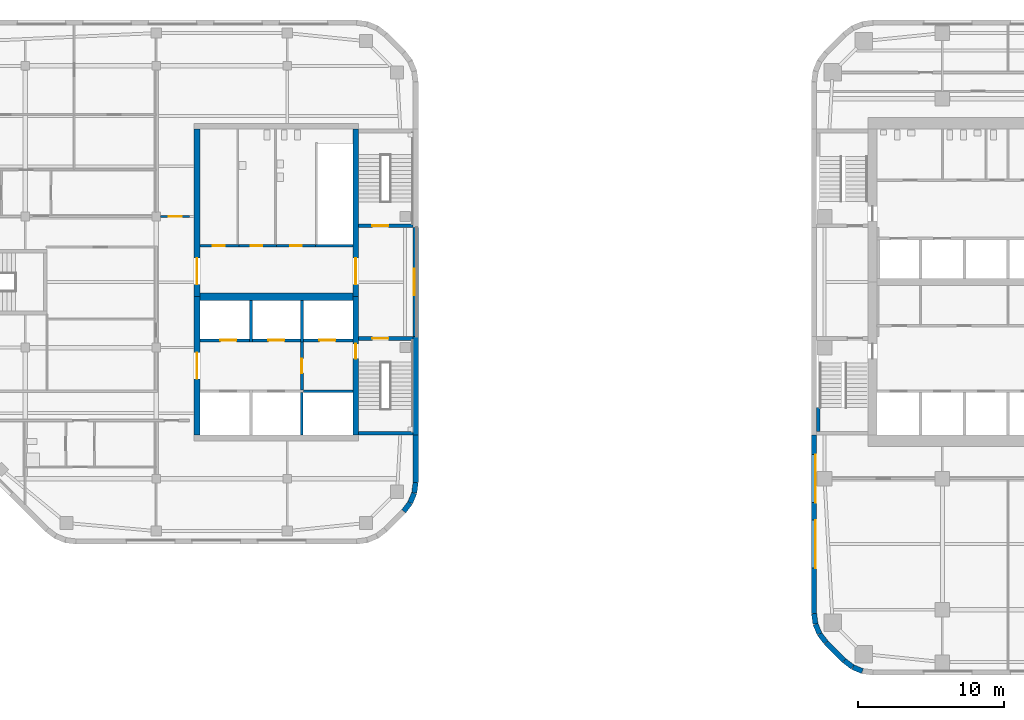
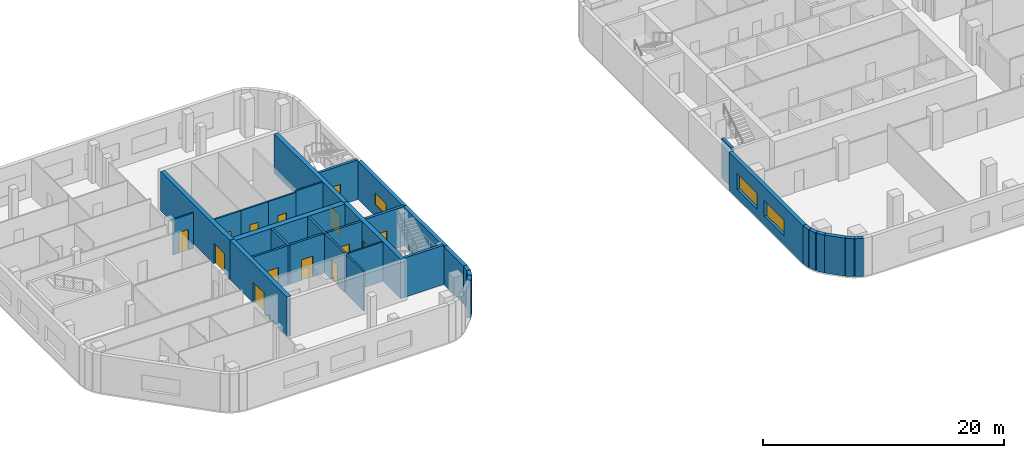
# One storey, part 6 of 14: 35 walls, 14 doors, 3 windows, 17 openings.
"""IFC4 building model written with IfcOpenShell, lengths in metres."""

from ifc_helpers import new_model, si_unit, direction, frame, frame_2d, origin, place, context, subcontext, project, spatial, rectangle, extrude, material, layer, layer_set, type_object, element, fill, save


model = new_model("IFC4")

# Units and contexts
model_context = context("Model", 3, precision=1e-05, world=origin(), true_north=direction((0.0, 1.0)))
body_context = subcontext(model_context, "Body", "Model", "MODEL_VIEW")
ifc_project = project(units=[si_unit("LENGTHUNIT", "METRE"), si_unit("AREAUNIT", "SQUARE_METRE"), si_unit("VOLUMEUNIT", "CUBIC_METRE"), si_unit("PLANEANGLEUNIT", "RADIAN"), si_unit("MASSUNIT", "GRAM", prefix="KILO")], contexts=[model_context])

# Site, building, storey
site_placement = place(None, origin())
site = spatial("IfcSite", under=ifc_project, at=site_placement, CompositionType="ELEMENT")
building_placement = place(site_placement, origin())
building = spatial("IfcBuilding", under=site, at=building_placement, Name="Cinnabar Reach Civic Tower", CompositionType="ELEMENT")
storey_placement = place(building_placement, frame((0.0, 0.0, 132.0)))
storey = spatial("IfcBuildingStorey", under=building, at=storey_placement, Name="L31", CompositionType="ELEMENT", Elevation=132.0)

# Walls
ifc_material_1 = material(Name="Facing brick with insulated backing", Category="masonry")
ifc_layer_1 = layer(ifc_material_1, 0.36)
ifc_layer_set_1 = layer_set([ifc_layer_1], Name="Brick corner wall")
wall_type_1 = type_object("IfcWallType", Name="Brick corner wall", PredefinedType="STANDARD", material=ifc_layer_set_1)
for number, where, z_axis, x_axis, name in (
    (1, (0.183, 8.7314, 0.0), (0.0, 0.0, 1.0), (0.13055608231, -0.99144092581, 0.0), "Brick corner wall"),
    (2, (0.2819, 8.0027, 0.0), (0.0, 0.0, 1.0), (0.382702709855, -0.923871547278, 0.0), "Brick corner wall"),
):
    element("IfcWall", number, at=place(storey_placement, frame(where, z_axis=z_axis, x_axis=x_axis)), inside=storey, type_object=wall_type_1, Name=name, PredefinedType="STANDARD", context=body_context, shape_type="SweptSolid", body=[
        extrude(rectangle(XDim=0.7131, YDim=0.36, at=frame_2d((0.3565, 0.0))), origin(), (0.0, 0.0, 1.0), 3.85),
    ])
for number, where, z_axis, x_axis, name in (
    (3, (0.566, 7.3245, 0.0), (0.0, 0.0, 1.0), (0.608802368033, -0.793321924995, 0.0), "Brick corner wall"),
    (4, (2.2587, 5.5002, 0.0), (0.0, 0.0, 1.0), (0.793321924995, -0.608802368033, 0.0), "Brick corner wall"),
):
    element("IfcWall", number, at=place(storey_placement, frame(where, z_axis=z_axis, x_axis=x_axis)), inside=storey, type_object=wall_type_1, Name=name, PredefinedType="STANDARD", context=body_context, shape_type="SweptSolid", body=[
        extrude(rectangle(XDim=0.7132, YDim=0.36, at=frame_2d((0.3566, 0.0))), origin(), (0.0, 0.0, 1.0), 3.85),
    ])
wall_1_placement = place(storey_placement, frame((2.8439, 5.0548, 0.0), z_axis=(0.0, 0.0, 1.0), x_axis=(0.923871547278, -0.382702709855, 0.0)))
element("IfcWall", 5, at=wall_1_placement, inside=storey, type_object=wall_type_1, Name="Brick corner wall", PredefinedType="STANDARD", context=body_context, shape_type="SweptSolid", body=[
    extrude(rectangle(XDim=0.7131, YDim=0.36, at=frame_2d((0.3565, 0.0))), origin(), (0.0, 0.0, 1.0), 3.85),
])
wall_2_placement = place(storey_placement, frame((-28.0002, 15.7587, 0.0), z_axis=(0.0, 0.0, 1.0), x_axis=(0.608802368033, 0.793321924995, 0.0)))
element("IfcWall", 6, at=wall_2_placement, inside=storey, type_object=wall_type_1, Name="Brick corner wall", PredefinedType="STANDARD", context=body_context, shape_type="SweptSolid", body=[
    extrude(rectangle(XDim=0.7132, YDim=0.36, at=frame_2d((0.3566, 0.0))), origin(), (0.0, 0.0, 1.0), 3.85),
])
for number, where, z_axis, x_axis, name in (
    (7, (-27.5548, 16.3439, 0.0), (0.0, 0.0, 1.0), (0.382702709855, 0.923871547278, 0.0), "Brick corner wall"),
    (8, (-27.2761, 17.0244, 0.0), (0.0, 0.0, 1.0), (0.13055608231, 0.99144092581, 0.0), "Brick corner wall"),
):
    element("IfcWall", number, at=place(storey_placement, frame(where, z_axis=z_axis, x_axis=x_axis)), inside=storey, type_object=wall_type_1, Name=name, PredefinedType="STANDARD", context=body_context, shape_type="SweptSolid", body=[
        extrude(rectangle(XDim=0.7131, YDim=0.36, at=frame_2d((0.3565, 0.0))), origin(), (0.0, 0.0, 1.0), 3.85),
    ])

# Wall, openings, windows
ifc_layer_2 = layer(ifc_material_1, 0.36)
ifc_layer_set_2 = layer_set([ifc_layer_2], Name="Brick pier and spandrel wall")
wall_type_2 = type_object("IfcWallType", Name="Brick pier and spandrel wall", PredefinedType="STANDARD", material=ifc_layer_set_2)
wall_3_placement = place(storey_placement, frame((0.18, 21.0, 0.0), z_axis=(0.0, 0.0, 1.0), x_axis=(0.0, -1.0, 0.0)))
wall_3 = element("IfcWall", 9, at=wall_3_placement, inside=storey, type_object=wall_type_2, Name="Brick facade wall", PredefinedType="STANDARD", context=body_context, shape_type="SweptSolid", body=[
    extrude(rectangle(XDim=12.2574, YDim=0.36, at=frame_2d((6.1287, 0.0))), origin(), (0.0, 0.0, 1.0), 3.85),
])
opening_1_placement = place(wall_3_placement, frame((1.35, 0.0, 0.9)))
opening_1 = element("IfcOpeningElement", 10, at=opening_1_placement, cuts=wall_3, Name="Opening W1675", PredefinedType="OPENING", context=body_context, shape_type="SweptSolid", body=[
    extrude(rectangle(XDim=3.3, YDim=1.6, at=frame_2d((1.65, 0.8))), frame((0.0, 0.19, 0.0), z_axis=(0.0, -1.0, 0.0), x_axis=(1.0, 0.0, 0.0)), (0.0, 0.0, 1.0), 0.38),
])
opening_2_placement = place(wall_3_placement, frame((5.85, 0.0, 0.9)))
opening_2 = element("IfcOpeningElement", 11, at=opening_2_placement, cuts=wall_3, Name="Opening W1676", PredefinedType="OPENING", context=body_context, shape_type="SweptSolid", body=[
    extrude(rectangle(XDim=3.3, YDim=1.6, at=frame_2d((1.65, 0.8))), frame((0.0, 0.19, 0.0), z_axis=(0.0, -1.0, 0.0), x_axis=(1.0, 0.0, 0.0)), (0.0, 0.0, 1.0), 0.38),
])
ifc_material_2 = material(Name="Clear double glazing in aluminium frame", Category="aluminium")
window_type_1 = type_object("IfcWindowType", Name="Deep-set window A", PartitioningType="SINGLE_PANEL", PredefinedType="WINDOW", material=ifc_material_2)
window_1_placement = place(opening_1_placement, origin())
window_1 = element("IfcWindow", 12, at=window_1_placement, inside=storey, type_object=window_type_1, Name="Window west face", OverallHeight=1.6, OverallWidth=3.3, PartitioningType="SINGLE_PANEL", PredefinedType="WINDOW", context=body_context, shape_type="SweptSolid", body=[
    extrude(rectangle(XDim=3.3, YDim=1.6, at=frame_2d((1.65, 0.8))), frame((0.0, 0.13, 0.0), z_axis=(0.0, -1.0, 0.0), x_axis=(1.0, 0.0, 0.0)), (0.0, 0.0, 1.0), 0.06),
])
fill(opening_1, window_1)
window_2_placement = place(opening_2_placement, origin())
window_2 = element("IfcWindow", 13, at=window_2_placement, inside=storey, type_object=window_type_1, Name="Window west face", OverallHeight=1.6, OverallWidth=3.3, PartitioningType="SINGLE_PANEL", PredefinedType="WINDOW", context=body_context, shape_type="SweptSolid", body=[
    extrude(rectangle(XDim=3.3, YDim=1.6, at=frame_2d((1.65, 0.8))), frame((0.0, 0.13, 0.0), z_axis=(0.0, -1.0, 0.0), x_axis=(1.0, 0.0, 0.0)), (0.0, 0.0, 1.0), 0.06),
])
fill(opening_2, window_2)

# Walls
wall_4_placement = place(storey_placement, frame((1.006, 6.7486, 0.0), z_axis=(0.0, 0.0, 1.0), x_axis=(0.707106781187, -0.707106781187, 0.0)))
element("IfcWall", 14, at=wall_4_placement, inside=storey, type_object=wall_type_2, Name="Brick facade wall", PredefinedType="STANDARD", context=body_context, shape_type="SweptSolid", body=[
    extrude(rectangle(XDim=1.7573, YDim=0.36, at=frame_2d((0.8787, 0.0))), origin(), (0.0, 0.0, 1.0), 3.85),
])
wall_5_placement = place(storey_placement, frame((-27.18, 17.7426, 0.0), z_axis=(0.0, 0.0, 1.0), x_axis=(0.0, 1.0, 0.0)))
element("IfcWall", 15, at=wall_5_placement, inside=storey, type_object=wall_type_2, Name="Brick facade wall", PredefinedType="STANDARD", context=body_context, shape_type="SweptSolid", body=[
    extrude(rectangle(XDim=3.2574, YDim=0.36, at=frame_2d((1.6287, 0.0))), origin(), (0.0, 0.0, 1.0), 3.85),
])
wall_6_placement = place(storey_placement, frame((-27.18, 21.0, 0.0), z_axis=(0.0, 0.0, 1.0), x_axis=(0.0, 1.0, 0.0)))
element("IfcWall", 16, at=wall_6_placement, inside=storey, type_object=wall_type_2, Name="Brick facade wall", PredefinedType="STANDARD", context=body_context, shape_type="SweptSolid", body=[
    extrude(rectangle(XDim=6.75, YDim=0.36, at=frame_2d((3.375, 0.0))), origin(), (0.0, 0.0, 1.0), 3.85),
])

# Wall, opening, window
wall_7_placement = place(storey_placement, frame((-27.18, 27.75, 0.0), z_axis=(0.0, 0.0, 1.0), x_axis=(0.0, 1.0, 0.0)))
wall_7 = element("IfcWall", 17, at=wall_7_placement, inside=storey, type_object=wall_type_2, Name="Brick facade wall", PredefinedType="STANDARD", context=body_context, shape_type="SweptSolid", body=[
    extrude(rectangle(XDim=7.5, YDim=0.36, at=frame_2d((3.75, 0.0))), origin(), (0.0, 0.0, 1.0), 3.85),
])
opening_3_placement = place(wall_7_placement, frame((2.85, 0.0, 1.2)))
opening_3 = element("IfcOpeningElement", 18, at=opening_3_placement, cuts=wall_7, Name="Opening W2782", PredefinedType="OPENING", context=body_context, shape_type="SweptSolid", body=[
    extrude(rectangle(XDim=1.8, YDim=1.2, at=frame_2d((0.9, 0.6))), frame((0.0, 0.19, 0.0), z_axis=(0.0, -1.0, 0.0), x_axis=(1.0, 0.0, 0.0)), (0.0, 0.0, 1.0), 0.38),
])
window_type_2 = type_object("IfcWindowType", Name="Deep-set window C", PartitioningType="SINGLE_PANEL", PredefinedType="WINDOW", material=ifc_material_2)
window_3_placement = place(opening_3_placement, origin())
window_3 = element("IfcWindow", 19, at=window_3_placement, inside=storey, type_object=window_type_2, Name="Window east face", OverallHeight=1.2, OverallWidth=1.8, PartitioningType="SINGLE_PANEL", PredefinedType="WINDOW", context=body_context, shape_type="SweptSolid", body=[
    extrude(rectangle(XDim=1.8, YDim=1.2, at=frame_2d((0.9, 0.6))), frame((0.0, 0.13, 0.0), z_axis=(0.0, -1.0, 0.0), x_axis=(1.0, 0.0, 0.0)), (0.0, 0.0, 1.0), 0.06),
])
fill(opening_3, window_3)

# Wall, opening, door
ifc_material_3 = material(Name="Concrete C60", Category="concrete")
ifc_layer_3 = layer(ifc_material_3, 0.4)
ifc_layer_set_3 = layer_set([ifc_layer_3], Name="Core wall 400 EI 180")
wall_type_3 = type_object("IfcWallType", Name="Core wall 400 EI 180", PredefinedType="SOLIDWALL", material=ifc_layer_set_3)
wall_8_placement = place(storey_placement, frame((-31.3, 21.0, 0.0), z_axis=(0.0, 0.0, 1.0), x_axis=(0.0, 1.0, 0.0)))
wall_8 = element("IfcWall", 20, at=wall_8_placement, inside=storey, type_object=wall_type_3, Name="Core wall T2 L31 E", PredefinedType="SOLIDWALL", context=body_context, shape_type="SweptSolid", body=[
    extrude(rectangle(XDim=9.5, YDim=0.4, at=frame_2d((4.75, 0.0))), origin(), (0.0, 0.0, 1.0), 4.0),
])
opening_4_placement = place(wall_8_placement, frame((5.25, 0.0, 0.0)))
opening_4 = element("IfcOpeningElement", 21, at=opening_4_placement, cuts=wall_8, Name="Opening D7105", PredefinedType="OPENING", context=body_context, shape_type="SweptSolid", body=[
    extrude(rectangle(XDim=1.0, YDim=2.1, at=frame_2d((0.5, 1.05))), frame((0.0, 0.21, 0.0), z_axis=(0.0, -1.0, 0.0), x_axis=(1.0, 0.0, 0.0)), (0.0, 0.0, 1.0), 0.42),
])
ifc_material_4 = material(Name="Steel fire door", Category="steel")
door_type_1 = type_object("IfcDoorType", Name="T2 Firefighting lobby door 1000", OperationType="SINGLE_SWING_LEFT", PredefinedType="DOOR", material=ifc_material_4)
door_1_placement = place(opening_4_placement, frame((1.0, 0.0, 0.0), z_axis=(0.0, 0.0, 1.0), x_axis=(-1.0, 0.0, 0.0)))
door_1 = element("IfcDoor", 22, at=door_1_placement, inside=storey, type_object=door_type_1, Name="T2 Firefighting lobby door D7105", OperationType="SINGLE_SWING_LEFT", OverallHeight=2.1, OverallWidth=1.0, PredefinedType="DOOR", context=body_context, shape_type="SweptSolid", body=[
    extrude(rectangle(XDim=1.0, YDim=2.1, at=frame_2d((0.5, 1.05))), frame((0.0, 0.025, 0.0), z_axis=(0.0, -1.0, 0.0), x_axis=(1.0, 0.0, 0.0)), (0.0, 0.0, 1.0), 0.05),
])
fill(opening_4, door_1)

wall_9_placement = place(storey_placement, frame((-31.3, 30.5, 0.0), z_axis=(0.0, 0.0, 1.0), x_axis=(0.0, 1.0, 0.0)))
wall_9 = element("IfcWall", 23, at=wall_9_placement, inside=storey, type_object=wall_type_3, Name="Core wall T2 L31 E2", PredefinedType="SOLIDWALL", context=body_context, shape_type="SweptSolid", body=[
    extrude(rectangle(XDim=11.5, YDim=0.4, at=frame_2d((5.75, 0.0))), origin(), (0.0, 0.0, 1.0), 4.0),
])
opening_5_placement = place(wall_9_placement, frame((0.85, 0.0, 0.0)))
opening_5 = element("IfcOpeningElement", 24, at=opening_5_placement, cuts=wall_9, Name="Opening D7108", PredefinedType="OPENING", context=body_context, shape_type="SweptSolid", body=[
    extrude(rectangle(XDim=1.8, YDim=2.1, at=frame_2d((0.9, 1.05))), frame((0.0, 0.21, 0.0), z_axis=(0.0, -1.0, 0.0), x_axis=(1.0, 0.0, 0.0)), (0.0, 0.0, 1.0), 0.42),
])
door_type_2 = type_object("IfcDoorType", Name="T2 Double door 1800", OperationType="DOUBLE_DOOR_SINGLE_SWING", PredefinedType="DOOR", material=ifc_material_4)
door_2_placement = place(opening_5_placement, origin())
door_2 = element("IfcDoor", 25, at=door_2_placement, inside=storey, type_object=door_type_2, Name="T2 Double door D7108", OperationType="DOUBLE_DOOR_SINGLE_SWING", OverallHeight=2.1, OverallWidth=1.8, PredefinedType="DOOR", context=body_context, shape_type="SweptSolid", body=[
    extrude(rectangle(XDim=1.8, YDim=2.1, at=frame_2d((0.9, 1.05))), frame((0.0, 0.025, 0.0), z_axis=(0.0, -1.0, 0.0), x_axis=(1.0, 0.0, 0.0)), (0.0, 0.0, 1.0), 0.05),
])
fill(opening_5, door_2)

wall_10_placement = place(storey_placement, frame((-42.2, 42.0, 0.0), z_axis=(0.0, 0.0, 1.0), x_axis=(0.0, -1.0, 0.0)))
wall_10 = element("IfcWall", 26, at=wall_10_placement, inside=storey, type_object=wall_type_3, Name="Core wall T2 L31 W", PredefinedType="SOLIDWALL", context=body_context, shape_type="SweptSolid", body=[
    extrude(rectangle(XDim=11.5, YDim=0.4, at=frame_2d((5.75, 0.0))), origin(), (0.0, 0.0, 1.0), 4.0),
])
opening_6_placement = place(wall_10_placement, frame((8.85, 0.0, 0.0)))
opening_6 = element("IfcOpeningElement", 27, at=opening_6_placement, cuts=wall_10, Name="Opening D7110", PredefinedType="OPENING", context=body_context, shape_type="SweptSolid", body=[
    extrude(rectangle(XDim=1.8, YDim=2.1, at=frame_2d((0.9, 1.05))), frame((0.0, 0.21, 0.0), z_axis=(0.0, -1.0, 0.0), x_axis=(1.0, 0.0, 0.0)), (0.0, 0.0, 1.0), 0.42),
])
door_3_placement = place(opening_6_placement, frame((1.8, 0.0, 0.0), z_axis=(0.0, 0.0, 1.0), x_axis=(-1.0, 0.0, 0.0)))
door_3 = element("IfcDoor", 28, at=door_3_placement, inside=storey, type_object=door_type_2, Name="T2 Double door D7110", OperationType="DOUBLE_DOOR_SINGLE_SWING", OverallHeight=2.1, OverallWidth=1.8, PredefinedType="DOOR", context=body_context, shape_type="SweptSolid", body=[
    extrude(rectangle(XDim=1.8, YDim=2.1, at=frame_2d((0.9, 1.05))), frame((0.0, 0.025, 0.0), z_axis=(0.0, -1.0, 0.0), x_axis=(1.0, 0.0, 0.0)), (0.0, 0.0, 1.0), 0.05),
])
fill(opening_6, door_3)

wall_11_placement = place(storey_placement, frame((-42.2, 30.5, 0.0), z_axis=(0.0, 0.0, 1.0), x_axis=(0.0, -1.0, 0.0)))
wall_11 = element("IfcWall", 29, at=wall_11_placement, inside=storey, type_object=wall_type_3, Name="Core wall T2 L31 W2", PredefinedType="SOLIDWALL", context=body_context, shape_type="SweptSolid", body=[
    extrude(rectangle(XDim=9.5, YDim=0.4, at=frame_2d((4.75, 0.0))), origin(), (0.0, 0.0, 1.0), 4.0),
])
opening_7_placement = place(wall_11_placement, frame((3.85, 0.0, 0.0)))
opening_7 = element("IfcOpeningElement", 30, at=opening_7_placement, cuts=wall_11, Name="Opening D7109", PredefinedType="OPENING", context=body_context, shape_type="SweptSolid", body=[
    extrude(rectangle(XDim=1.8, YDim=2.1, at=frame_2d((0.9, 1.05))), frame((0.0, 0.21, 0.0), z_axis=(0.0, -1.0, 0.0), x_axis=(1.0, 0.0, 0.0)), (0.0, 0.0, 1.0), 0.42),
])
door_4_placement = place(opening_7_placement, origin())
door_4 = element("IfcDoor", 31, at=door_4_placement, inside=storey, type_object=door_type_2, Name="T2 Double door D7109", OperationType="DOUBLE_DOOR_SINGLE_SWING", OverallHeight=2.1, OverallWidth=1.8, PredefinedType="DOOR", context=body_context, shape_type="SweptSolid", body=[
    extrude(rectangle(XDim=1.8, YDim=2.1, at=frame_2d((0.9, 1.05))), frame((0.0, 0.025, 0.0), z_axis=(0.0, -1.0, 0.0), x_axis=(1.0, 0.0, 0.0)), (0.0, 0.0, 1.0), 0.05),
])
fill(opening_7, door_4)

# Wall
ifc_layer_4 = layer(ifc_material_3, 0.5)
ifc_layer_set_4 = layer_set([ifc_layer_4], Name="Core wall 500 EI 180")
wall_type_4 = type_object("IfcWallType", Name="Core wall 500 EI 180", PredefinedType="SOLIDWALL", material=ifc_layer_set_4)
wall_12_placement = place(storey_placement, frame((-42.0, 30.5, 0.0), z_axis=(0.0, 0.0, 1.0), x_axis=(1.0, 0.0, 0.0)))
element("IfcWall", 32, at=wall_12_placement, inside=storey, type_object=wall_type_4, Name="Core spine wall T2 L31", PredefinedType="SOLIDWALL", context=body_context, shape_type="SweptSolid", body=[
    extrude(rectangle(XDim=10.5, YDim=0.5, at=frame_2d((5.25, 0.0))), origin(), (0.0, 0.0, 1.0), 4.0),
])

# Wall, opening, door
ifc_material_5 = material(Name="Gypsum board on steel studs, double layer", Category="steel")
ifc_layer_5 = layer(ifc_material_5, 0.15)
ifc_layer_set_5 = layer_set([ifc_layer_5], Name="Corridor wall 150 T2")
wall_type_5 = type_object("IfcWallType", Name="Corridor wall 150 T2", PredefinedType="PARTITIONING", material=ifc_layer_set_5)
wall_13_placement = place(storey_placement, frame((-44.7, 36.0, 0.0), z_axis=(0.0, 0.0, 1.0), x_axis=(1.0, 0.0, 0.0)))
wall_13 = element("IfcWall", 33, at=wall_13_placement, inside=storey, type_object=wall_type_5, Name="Corridor wall 1", PredefinedType="PARTITIONING", context=body_context, shape_type="SweptSolid", body=[
    extrude(rectangle(XDim=1.975, YDim=0.15, at=frame_2d((0.9875, 0.0))), origin(), (0.0, 0.0, 1.0), 3.602),
])
opening_8_placement = place(wall_13_placement, frame((0.55, 0.0, 0.0)))
opening_8 = element("IfcOpeningElement", 34, at=opening_8_placement, cuts=wall_13, Name="Opening D7114", PredefinedType="OPENING", context=body_context, shape_type="SweptSolid", body=[
    extrude(rectangle(XDim=0.9, YDim=2.1, at=frame_2d((0.45, 1.05))), frame((0.0, 0.085, 0.0), z_axis=(0.0, -1.0, 0.0), x_axis=(1.0, 0.0, 0.0)), (0.0, 0.0, 1.0), 0.17),
])
ifc_material_6 = material(Name="Timber door leaf in steel frame", Category="steel")
door_type_3 = type_object("IfcDoorType", Name="Single swing door 900 x 2100 T2", OperationType="SINGLE_SWING_LEFT", PredefinedType="DOOR", material=ifc_material_6)
door_5_placement = place(opening_8_placement, origin())
door_5 = element("IfcDoor", 35, at=door_5_placement, inside=storey, type_object=door_type_3, Name="Door D7114", OperationType="SINGLE_SWING_LEFT", OverallHeight=2.1, OverallWidth=0.9, PredefinedType="DOOR", context=body_context, shape_type="SweptSolid", body=[
    extrude(rectangle(XDim=0.9, YDim=2.1, at=frame_2d((0.45, 1.05))), frame((0.0, 0.025, 0.0), z_axis=(0.0, -1.0, 0.0), x_axis=(1.0, 0.0, 0.0)), (0.0, 0.0, 1.0), 0.05),
])
fill(opening_8, door_5)

# Wall
ifc_layer_6 = layer(ifc_material_3, 0.25)
ifc_layer_set_6 = layer_set([ifc_layer_6], Name="Stair shaft wall 250 EI 120")
wall_type_6 = type_object("IfcWallType", Name="Stair shaft wall 250 EI 120", PredefinedType="SOLIDWALL", material=ifc_layer_set_6)
wall_14_placement = place(storey_placement, frame((-31.1, 21.125, 0.0), z_axis=(0.0, 0.0, 1.0), x_axis=(1.0, 0.0, 0.0)))
element("IfcWall", 36, at=wall_14_placement, inside=storey, type_object=wall_type_6, Name="Stair shaft wall T2-S1 L31", PredefinedType="SOLIDWALL", context=body_context, shape_type="SweptSolid", body=[
    extrude(rectangle(XDim=3.74, YDim=0.25, at=frame_2d((1.87, 0.0))), origin(), (0.0, 0.0, 1.0), 4.0),
])

# Wall, opening, door
wall_15_placement = place(storey_placement, frame((-27.36, 27.625, 0.0), z_axis=(0.0, 0.0, 1.0), x_axis=(-1.0, 0.0, 0.0)))
wall_15 = element("IfcWall", 37, at=wall_15_placement, inside=storey, type_object=wall_type_6, Name="Stair shaft wall T2-S1 L31", PredefinedType="SOLIDWALL", context=body_context, shape_type="SweptSolid", body=[
    extrude(rectangle(XDim=3.74, YDim=0.25, at=frame_2d((1.87, 0.0))), origin(), (0.0, 0.0, 1.0), 4.0),
])
opening_9_placement = place(wall_15_placement, frame((1.69, 0.0, 0.0)))
opening_9 = element("IfcOpeningElement", 38, at=opening_9_placement, cuts=wall_15, Name="Opening D7106", PredefinedType="OPENING", context=body_context, shape_type="SweptSolid", body=[
    extrude(rectangle(XDim=1.1, YDim=2.1, at=frame_2d((0.55, 1.05))), frame((0.0, 0.135, 0.0), z_axis=(0.0, -1.0, 0.0), x_axis=(1.0, 0.0, 0.0)), (0.0, 0.0, 1.0), 0.27),
])
door_type_4 = type_object("IfcDoorType", Name="T2 Stair door 1100", OperationType="SINGLE_SWING_LEFT", PredefinedType="DOOR", material=ifc_material_4)
door_6_placement = place(opening_9_placement, origin())
door_6 = element("IfcDoor", 39, at=door_6_placement, inside=storey, type_object=door_type_4, Name="T2 Stair door D7106", OperationType="SINGLE_SWING_LEFT", OverallHeight=2.1, OverallWidth=1.1, PredefinedType="DOOR", context=body_context, shape_type="SweptSolid", body=[
    extrude(rectangle(XDim=1.1, YDim=2.1, at=frame_2d((0.55, 1.05))), frame((0.0, 0.025, 0.0), z_axis=(0.0, -1.0, 0.0), x_axis=(1.0, 0.0, 0.0)), (0.0, 0.0, 1.0), 0.05),
])
fill(opening_9, door_6)

wall_16_placement = place(storey_placement, frame((-31.1, 35.375, 0.0), z_axis=(0.0, 0.0, 1.0), x_axis=(1.0, 0.0, 0.0)))
wall_16 = element("IfcWall", 40, at=wall_16_placement, inside=storey, type_object=wall_type_6, Name="Stair shaft wall T2-S2 L31", PredefinedType="SOLIDWALL", context=body_context, shape_type="SweptSolid", body=[
    extrude(rectangle(XDim=3.74, YDim=0.25, at=frame_2d((1.87, 0.0))), origin(), (0.0, 0.0, 1.0), 4.0),
])
opening_10_placement = place(wall_16_placement, frame((0.95, 0.0, 0.0)))
opening_10 = element("IfcOpeningElement", 41, at=opening_10_placement, cuts=wall_16, Name="Opening D7107", PredefinedType="OPENING", context=body_context, shape_type="SweptSolid", body=[
    extrude(rectangle(XDim=1.1, YDim=2.1, at=frame_2d((0.55, 1.05))), frame((0.0, 0.135, 0.0), z_axis=(0.0, -1.0, 0.0), x_axis=(1.0, 0.0, 0.0)), (0.0, 0.0, 1.0), 0.27),
])
door_7_placement = place(opening_10_placement, origin())
door_7 = element("IfcDoor", 42, at=door_7_placement, inside=storey, type_object=door_type_4, Name="T2 Stair door D7107", OperationType="SINGLE_SWING_RIGHT", OverallHeight=2.1, OverallWidth=1.1, PredefinedType="DOOR", context=body_context, shape_type="SweptSolid", body=[
    extrude(rectangle(XDim=1.1, YDim=2.1, at=frame_2d((0.55, 1.05))), frame((0.0, 0.025, 0.0), z_axis=(0.0, -1.0, 0.0), x_axis=(1.0, 0.0, 0.0)), (0.0, 0.0, 1.0), 0.05),
])
fill(opening_10, door_7)

# Wall
ifc_material_7 = material(Name="Concrete C40/50", Category="concrete")
ifc_layer_7 = layer(ifc_material_7, 0.24)
ifc_layer_set_7 = layer_set([ifc_layer_7], Name="T1 landing bearer wall 240")
wall_type_7 = type_object("IfcWallType", Name="T1 landing bearer wall 240", PredefinedType="STANDARD", material=ifc_layer_set_7)
wall_17_placement = place(storey_placement, frame((0.48, 21.25, 0.0), z_axis=(0.0, 0.0, 1.0), x_axis=(0.0, 1.0, 0.0)))
element("IfcWall", 43, at=wall_17_placement, inside=storey, type_object=wall_type_7, Name="T1-S1 landing bearer wall", PredefinedType="STANDARD", context=body_context, shape_type="SweptSolid", body=[
    extrude(rectangle(XDim=1.62, YDim=0.24, at=frame_2d((0.81, 0.0))), origin(), (0.0, 0.0, 1.0), 4.0),
])

# Wall, opening, door
ifc_material_8 = material(Name="Masonry block partition", Category="masonry")
ifc_layer_8 = layer(ifc_material_8, 0.15)
ifc_layer_set_8 = layer_set([ifc_layer_8], Name="T2 Corridor wall 150")
wall_type_8 = type_object("IfcWallType", Name="T2 Corridor wall 150", PredefinedType="PARTITIONING", material=ifc_layer_set_8)
wall_18_placement = place(storey_placement, frame((-39.325, 34.0, 0.0), z_axis=(0.0, 0.0, 1.0), x_axis=(-1.0, 0.0, 0.0)))
wall_18 = element("IfcWall", 44, at=wall_18_placement, inside=storey, type_object=wall_type_8, Name="T2 Corridor wall L31 014", PredefinedType="PARTITIONING", context=body_context, shape_type="SweptSolid", body=[
    extrude(rectangle(XDim=2.675, YDim=0.15, at=frame_2d((1.3375, 0.0))), origin(), (0.0, 0.0, 1.0), 3.85),
])
opening_11_placement = place(wall_18_placement, frame((0.975, 0.0, 0.0)))
opening_11 = element("IfcOpeningElement", 45, at=opening_11_placement, cuts=wall_18, Name="Opening D7111", PredefinedType="OPENING", context=body_context, shape_type="SweptSolid", body=[
    extrude(rectangle(XDim=0.8, YDim=2.1, at=frame_2d((0.4, 1.05))), frame((0.0, 0.085, 0.0), z_axis=(0.0, -1.0, 0.0), x_axis=(1.0, 0.0, 0.0)), (0.0, 0.0, 1.0), 0.17),
])
ifc_material_9 = material(Name="Timber door leaf", Category="wood")
door_type_5 = type_object("IfcDoorType", Name="T2 Bathroom door 800", OperationType="SINGLE_SWING_LEFT", PredefinedType="DOOR", material=ifc_material_9)
door_8_placement = place(opening_11_placement, frame((0.8, 0.0, 0.0), z_axis=(0.0, 0.0, 1.0), x_axis=(-1.0, 0.0, 0.0)))
door_8 = element("IfcDoor", 46, at=door_8_placement, inside=storey, type_object=door_type_5, Name="T2 Bathroom door D7111", OperationType="SINGLE_SWING_LEFT", OverallHeight=2.1, OverallWidth=0.8, PredefinedType="DOOR", context=body_context, shape_type="SweptSolid", body=[
    extrude(rectangle(XDim=0.8, YDim=2.1, at=frame_2d((0.4, 1.05))), frame((0.0, 0.025, 0.0), z_axis=(0.0, -1.0, 0.0), x_axis=(1.0, 0.0, 0.0)), (0.0, 0.0, 1.0), 0.05),
])
fill(opening_11, door_8)

wall_19_placement = place(storey_placement, frame((-36.725, 34.0, 0.0), z_axis=(0.0, 0.0, 1.0), x_axis=(-1.0, 0.0, 0.0)))
wall_19 = element("IfcWall", 47, at=wall_19_placement, inside=storey, type_object=wall_type_8, Name="T2 Corridor wall L31 015", PredefinedType="PARTITIONING", context=body_context, shape_type="SweptSolid", body=[
    extrude(rectangle(XDim=2.6, YDim=0.15, at=frame_2d((1.3, 0.0))), origin(), (0.0, 0.0, 1.0), 3.85),
])
opening_12_placement = place(wall_19_placement, frame((0.975, 0.0, 0.0)))
opening_12 = element("IfcOpeningElement", 48, at=opening_12_placement, cuts=wall_19, Name="Opening D7112", PredefinedType="OPENING", context=body_context, shape_type="SweptSolid", body=[
    extrude(rectangle(XDim=0.8, YDim=2.1, at=frame_2d((0.4, 1.05))), frame((0.0, 0.085, 0.0), z_axis=(0.0, -1.0, 0.0), x_axis=(1.0, 0.0, 0.0)), (0.0, 0.0, 1.0), 0.17),
])
door_9_placement = place(opening_12_placement, frame((0.8, 0.0, 0.0), z_axis=(0.0, 0.0, 1.0), x_axis=(-1.0, 0.0, 0.0)))
door_9 = element("IfcDoor", 49, at=door_9_placement, inside=storey, type_object=door_type_5, Name="T2 Bathroom door D7112", OperationType="SINGLE_SWING_LEFT", OverallHeight=2.1, OverallWidth=0.8, PredefinedType="DOOR", context=body_context, shape_type="SweptSolid", body=[
    extrude(rectangle(XDim=0.8, YDim=2.1, at=frame_2d((0.4, 1.05))), frame((0.0, 0.025, 0.0), z_axis=(0.0, -1.0, 0.0), x_axis=(1.0, 0.0, 0.0)), (0.0, 0.0, 1.0), 0.05),
])
fill(opening_12, door_9)

wall_20_placement = place(storey_placement, frame((-34.075, 34.0, 0.0), z_axis=(0.0, 0.0, 1.0), x_axis=(-1.0, 0.0, 0.0)))
wall_20 = element("IfcWall", 50, at=wall_20_placement, inside=storey, type_object=wall_type_8, Name="T2 Corridor wall L31 016", PredefinedType="PARTITIONING", context=body_context, shape_type="SweptSolid", body=[
    extrude(rectangle(XDim=2.65, YDim=0.15, at=frame_2d((1.325, 0.0))), origin(), (0.0, 0.0, 1.0), 3.85),
])
opening_13_placement = place(wall_20_placement, frame((0.925, 0.0, 0.0)))
opening_13 = element("IfcOpeningElement", 51, at=opening_13_placement, cuts=wall_20, Name="Opening D7113", PredefinedType="OPENING", context=body_context, shape_type="SweptSolid", body=[
    extrude(rectangle(XDim=0.8, YDim=2.1, at=frame_2d((0.4, 1.05))), frame((0.0, 0.085, 0.0), z_axis=(0.0, -1.0, 0.0), x_axis=(1.0, 0.0, 0.0)), (0.0, 0.0, 1.0), 0.17),
])
door_10_placement = place(opening_13_placement, frame((0.8, 0.0, 0.0), z_axis=(0.0, 0.0, 1.0), x_axis=(-1.0, 0.0, 0.0)))
door_10 = element("IfcDoor", 52, at=door_10_placement, inside=storey, type_object=door_type_5, Name="T2 Bathroom door D7113", OperationType="SINGLE_SWING_RIGHT", OverallHeight=2.1, OverallWidth=0.8, PredefinedType="DOOR", context=body_context, shape_type="SweptSolid", body=[
    extrude(rectangle(XDim=0.8, YDim=2.1, at=frame_2d((0.4, 1.05))), frame((0.0, 0.025, 0.0), z_axis=(0.0, -1.0, 0.0), x_axis=(1.0, 0.0, 0.0)), (0.0, 0.0, 1.0), 0.05),
])
fill(opening_13, door_10)

# Walls
ifc_material_10 = material(Name="Concrete C40", Category="concrete")
ifc_layer_9 = layer(ifc_material_10, 0.15)
ifc_layer_set_9 = layer_set([ifc_layer_9], Name="T2 Riser wall 150")
wall_type_9 = type_object("IfcWallType", Name="T2 Riser wall 150", PredefinedType="SOLIDWALL", material=ifc_layer_set_9)
wall_21_placement = place(storey_placement, frame((-35.0, 21.0, 0.0), z_axis=(0.0, 0.0, 1.0), x_axis=(0.0, 1.0, 0.0)))
element("IfcWall", 53, at=wall_21_placement, inside=storey, type_object=wall_type_9, Name="T2 Riser wall L31 010", PredefinedType="SOLIDWALL", context=body_context, shape_type="SweptSolid", body=[
    extrude(rectangle(XDim=2.9, YDim=0.15, at=frame_2d((1.45, 0.0))), origin(), (0.0, 0.0, 1.0), 4.0),
])
wall_22_placement = place(storey_placement, frame((-31.5, 24.0, 0.0), z_axis=(0.0, 0.0, 1.0), x_axis=(-1.0, 0.0, 0.0)))
element("IfcWall", 54, at=wall_22_placement, inside=storey, type_object=wall_type_9, Name="T2 Riser wall L31 011", PredefinedType="SOLIDWALL", context=body_context, shape_type="SweptSolid", body=[
    extrude(rectangle(XDim=3.4, YDim=0.15, at=frame_2d((1.7, 0.0))), origin(), (0.0, 0.0, 1.0), 4.0),
])
wall_23_placement = place(storey_placement, frame((-34.075, 34.0, 0.0), z_axis=(0.0, 0.0, 1.0), x_axis=(1.0, 0.0, 0.0)))
element("IfcWall", 55, at=wall_23_placement, inside=storey, type_object=wall_type_9, Name="T2 Riser wall L31 012", PredefinedType="SOLIDWALL", context=body_context, shape_type="SweptSolid", body=[
    extrude(rectangle(XDim=2.575, YDim=0.15, at=frame_2d((1.2875, 0.0))), origin(), (0.0, 0.0, 1.0), 4.0),
])
ifc_layer_10 = layer(ifc_material_10, 0.2)
ifc_layer_set_10 = layer_set([ifc_layer_10], Name="T2 Shaft wall 200")
wall_type_10 = type_object("IfcWallType", Name="T2 Shaft wall 200", PredefinedType="SOLIDWALL", material=ifc_layer_set_10)
wall_24_placement = place(storey_placement, frame((-38.5, 27.4, 0.0), z_axis=(0.0, 0.0, 1.0), x_axis=(0.0, 1.0, 0.0)))
element("IfcWall", 56, at=wall_24_placement, inside=storey, type_object=wall_type_10, Name="T2 Shaft wall L31 004", PredefinedType="SOLIDWALL", context=body_context, shape_type="SweptSolid", body=[
    extrude(rectangle(XDim=2.85, YDim=0.2, at=frame_2d((1.425, 0.0))), origin(), (0.0, 0.0, 1.0), 4.0),
])

# Wall, opening, door
wall_25_placement = place(storey_placement, frame((-42.0, 27.5, 0.0), z_axis=(0.0, 0.0, 1.0), x_axis=(1.0, 0.0, 0.0)))
wall_25 = element("IfcWall", 57, at=wall_25_placement, inside=storey, type_object=wall_type_10, Name="T2 Shaft wall L31 005", PredefinedType="SOLIDWALL", context=body_context, shape_type="SweptSolid", body=[
    extrude(rectangle(XDim=3.4, YDim=0.2, at=frame_2d((1.7, 0.0))), origin(), (0.0, 0.0, 1.0), 4.0),
])
opening_14_placement = place(wall_25_placement, frame((1.4, 0.0, 0.0)))
opening_14 = element("IfcOpeningElement", 58, at=opening_14_placement, cuts=wall_25, Name="Opening D7101", PredefinedType="OPENING", context=body_context, shape_type="SweptSolid", body=[
    extrude(rectangle(XDim=1.1, YDim=2.1, at=frame_2d((0.55, 1.05))), frame((0.0, 0.11, 0.0), z_axis=(0.0, -1.0, 0.0), x_axis=(1.0, 0.0, 0.0)), (0.0, 0.0, 1.0), 0.22),
])
door_type_6 = type_object("IfcDoorType", Name="T2 Lift landing door 1100", OperationType="SLIDING_TO_LEFT", PredefinedType="DOOR", material=ifc_material_4)
door_11_placement = place(opening_14_placement, origin())
door_11 = element("IfcDoor", 59, at=door_11_placement, inside=storey, type_object=door_type_6, Name="T2 Lift landing door D7101", OperationType="SLIDING_TO_LEFT", OverallHeight=2.1, OverallWidth=1.1, PredefinedType="DOOR", context=body_context, shape_type="SweptSolid", body=[
    extrude(rectangle(XDim=1.1, YDim=2.1, at=frame_2d((0.55, 1.05))), frame((0.0, 0.025, 0.0), z_axis=(0.0, -1.0, 0.0), x_axis=(1.0, 0.0, 0.0)), (0.0, 0.0, 1.0), 0.05),
])
fill(opening_14, door_11)

# Wall
wall_26_placement = place(storey_placement, frame((-35.0, 27.4, 0.0), z_axis=(0.0, 0.0, 1.0), x_axis=(0.0, 1.0, 0.0)))
element("IfcWall", 60, at=wall_26_placement, inside=storey, type_object=wall_type_10, Name="T2 Shaft wall L31 006", PredefinedType="SOLIDWALL", context=body_context, shape_type="SweptSolid", body=[
    extrude(rectangle(XDim=2.85, YDim=0.2, at=frame_2d((1.425, 0.0))), origin(), (0.0, 0.0, 1.0), 4.0),
])

# Wall, opening, door
wall_27_placement = place(storey_placement, frame((-38.4, 27.5, 0.0), z_axis=(0.0, 0.0, 1.0), x_axis=(1.0, 0.0, 0.0)))
wall_27 = element("IfcWall", 61, at=wall_27_placement, inside=storey, type_object=wall_type_10, Name="T2 Shaft wall L31 007", PredefinedType="SOLIDWALL", context=body_context, shape_type="SweptSolid", body=[
    extrude(rectangle(XDim=3.3, YDim=0.2, at=frame_2d((1.65, 0.0))), origin(), (0.0, 0.0, 1.0), 4.0),
])
opening_15_placement = place(wall_27_placement, frame((1.1, 0.0, 0.0)))
opening_15 = element("IfcOpeningElement", 62, at=opening_15_placement, cuts=wall_27, Name="Opening D7102", PredefinedType="OPENING", context=body_context, shape_type="SweptSolid", body=[
    extrude(rectangle(XDim=1.1, YDim=2.1, at=frame_2d((0.55, 1.05))), frame((0.0, 0.11, 0.0), z_axis=(0.0, -1.0, 0.0), x_axis=(1.0, 0.0, 0.0)), (0.0, 0.0, 1.0), 0.22),
])
door_12_placement = place(opening_15_placement, origin())
door_12 = element("IfcDoor", 63, at=door_12_placement, inside=storey, type_object=door_type_6, Name="T2 Lift landing door D7102", OperationType="SLIDING_TO_LEFT", OverallHeight=2.1, OverallWidth=1.1, PredefinedType="DOOR", context=body_context, shape_type="SweptSolid", body=[
    extrude(rectangle(XDim=1.1, YDim=2.1, at=frame_2d((0.55, 1.05))), frame((0.0, 0.025, 0.0), z_axis=(0.0, -1.0, 0.0), x_axis=(1.0, 0.0, 0.0)), (0.0, 0.0, 1.0), 0.05),
])
fill(opening_15, door_12)

wall_28_placement = place(storey_placement, frame((-34.9, 27.5, 0.0), z_axis=(0.0, 0.0, 1.0), x_axis=(1.0, 0.0, 0.0)))
wall_28 = element("IfcWall", 64, at=wall_28_placement, inside=storey, type_object=wall_type_10, Name="T2 Shaft wall L31 008", PredefinedType="SOLIDWALL", context=body_context, shape_type="SweptSolid", body=[
    extrude(rectangle(XDim=3.4, YDim=0.2, at=frame_2d((1.7, 0.0))), origin(), (0.0, 0.0, 1.0), 4.0),
])
opening_16_placement = place(wall_28_placement, frame((1.1, 0.0, 0.0)))
opening_16 = element("IfcOpeningElement", 65, at=opening_16_placement, cuts=wall_28, Name="Opening D7103", PredefinedType="OPENING", context=body_context, shape_type="SweptSolid", body=[
    extrude(rectangle(XDim=1.1, YDim=2.1, at=frame_2d((0.55, 1.05))), frame((0.0, 0.11, 0.0), z_axis=(0.0, -1.0, 0.0), x_axis=(1.0, 0.0, 0.0)), (0.0, 0.0, 1.0), 0.22),
])
door_type_7 = type_object("IfcDoorType", Name="T2 Firefighting lift landing door 1100", OperationType="SLIDING_TO_LEFT", PredefinedType="DOOR", material=ifc_material_4)
door_13_placement = place(opening_16_placement, origin())
door_13 = element("IfcDoor", 66, at=door_13_placement, inside=storey, type_object=door_type_7, Name="T2 Firefighting lift landing door D7103", OperationType="SLIDING_TO_LEFT", OverallHeight=2.1, OverallWidth=1.1, PredefinedType="DOOR", context=body_context, shape_type="SweptSolid", body=[
    extrude(rectangle(XDim=1.1, YDim=2.1, at=frame_2d((0.55, 1.05))), frame((0.0, 0.025, 0.0), z_axis=(0.0, -1.0, 0.0), x_axis=(1.0, 0.0, 0.0)), (0.0, 0.0, 1.0), 0.05),
])
fill(opening_16, door_13)

wall_29_placement = place(storey_placement, frame((-35.0, 24.1, 0.0), z_axis=(0.0, 0.0, 1.0), x_axis=(0.0, 1.0, 0.0)))
wall_29 = element("IfcWall", 67, at=wall_29_placement, inside=storey, type_object=wall_type_10, Name="T2 Shaft wall L31 009", PredefinedType="SOLIDWALL", context=body_context, shape_type="SweptSolid", body=[
    extrude(rectangle(XDim=3.3, YDim=0.2, at=frame_2d((1.65, 0.0))), origin(), (0.0, 0.0, 1.0), 4.0),
])
opening_17_placement = place(wall_29_placement, frame((1.15, 0.0, 0.0)))
opening_17 = element("IfcOpeningElement", 68, at=opening_17_placement, cuts=wall_29, Name="Opening D7104", PredefinedType="OPENING", context=body_context, shape_type="SweptSolid", body=[
    extrude(rectangle(XDim=1.0, YDim=2.1, at=frame_2d((0.5, 1.05))), frame((0.0, 0.11, 0.0), z_axis=(0.0, -1.0, 0.0), x_axis=(1.0, 0.0, 0.0)), (0.0, 0.0, 1.0), 0.22),
])
door_14_placement = place(opening_17_placement, origin())
door_14 = element("IfcDoor", 69, at=door_14_placement, inside=storey, type_object=door_type_1, Name="T2 Firefighting lobby door D7104", OperationType="SINGLE_SWING_RIGHT", OverallHeight=2.1, OverallWidth=1.0, PredefinedType="DOOR", context=body_context, shape_type="SweptSolid", body=[
    extrude(rectangle(XDim=1.0, YDim=2.1, at=frame_2d((0.5, 1.05))), frame((0.0, 0.025, 0.0), z_axis=(0.0, -1.0, 0.0), x_axis=(1.0, 0.0, 0.0)), (0.0, 0.0, 1.0), 0.05),
])
fill(opening_17, door_14)

save(model, "model.ifc")
